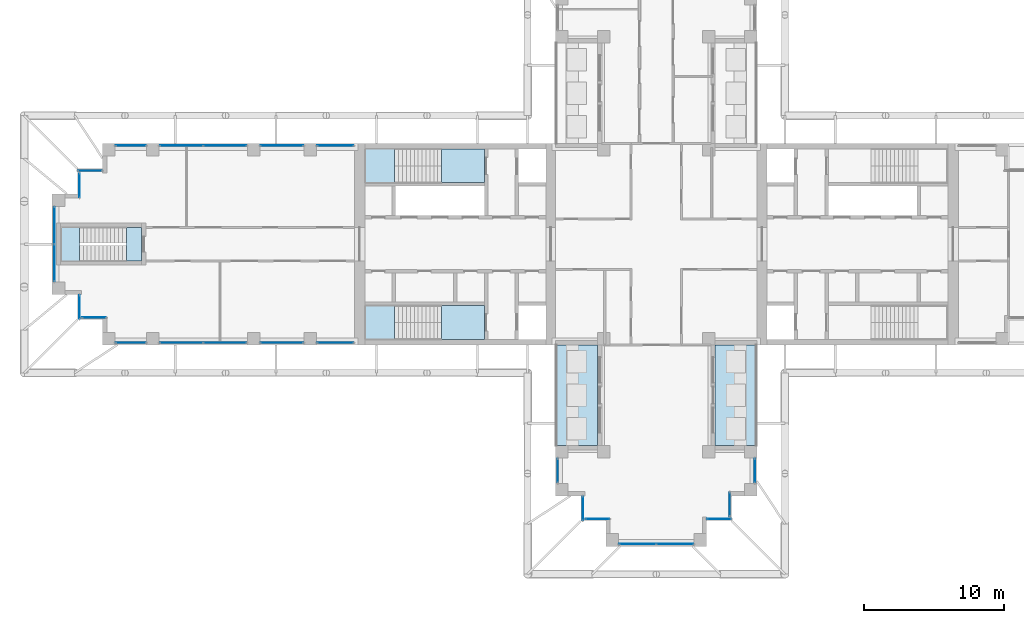
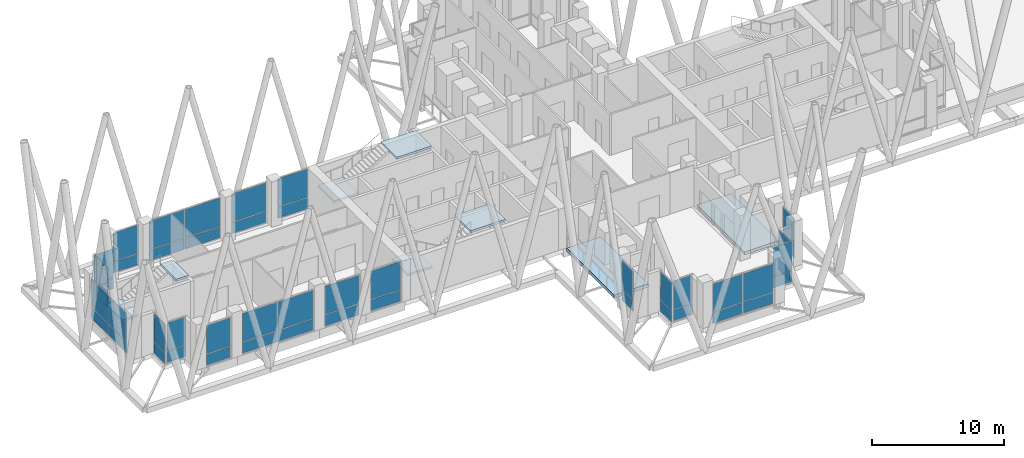
# One storey, part 9 of 19: 48 plates, 8 slabs, 23 elements without a shape of their own.
"""IFC4 building model written with IfcOpenShell, lengths in metres."""

from ifc_helpers import new_model, si_unit, direction, frame, origin, origin_2d, place, context, subcontext, project, spatial, polyline, rectangle, outline, extrude, material, layer, layer_set, type_object, element, aggregate, save


model = new_model("IFC4")

# Units and contexts
model_context = context("Model", 3, precision=1e-05, world=origin(), true_north=direction((0.0, 1.0)))
body_context = subcontext(model_context, "Body", "Model", "MODEL_VIEW")
ifc_project = project(units=[si_unit("LENGTHUNIT", "METRE"), si_unit("AREAUNIT", "SQUARE_METRE"), si_unit("VOLUMEUNIT", "CUBIC_METRE"), si_unit("PLANEANGLEUNIT", "RADIAN"), si_unit("MASSUNIT", "GRAM", prefix="KILO")], contexts=[model_context])

# Site, building, storey
site_placement = place(None, origin())
site = spatial("IfcSite", under=ifc_project, at=site_placement, CompositionType="ELEMENT")
building_placement = place(site_placement, origin())
building = spatial("IfcBuilding", under=site, at=building_placement, Name="Fustian Cross Tower", CompositionType="ELEMENT")
storey_placement = place(building_placement, frame((0.0, 0.0, 166.5)))
storey = spatial("IfcBuildingStorey", under=building, at=storey_placement, Name="L52", CompositionType="ELEMENT", Elevation=166.5)

# Slabs
ifc_material_1 = material(Name="Concrete C40/50", Category="concrete")
ifc_layer_1 = layer(ifc_material_1, 0.300048828125)
ifc_layer_set_1 = layer_set([ifc_layer_1], Name="Concrete C40/50")
slab_type_1 = type_object("IfcSlabType", Name="BS1 BALCONY SLAB 300", PredefinedType="FLOOR", material=ifc_layer_set_1)
slab_1_placement = place(storey_placement, frame((0.0, 0.0, -0.300048828125)))
element("IfcSlab", 1, at=slab_1_placement, inside=storey, type_object=slab_type_1, Name="Balcony slab", PredefinedType="FLOOR", context=body_context, shape_type="SweptSolid", body=[
    extrude(outline(polyline([(4.199951171875, -14.39990234375), (7.199951171875, -14.39990234375), (7.199951171875, -7.199951171875), (4.199951171875, -7.199951171875), (4.199951171875, -14.39990234375)])), origin(), (0.0, 0.0, 1.0), 0.300048828125),
])
slab_2_placement = place(storey_placement, frame((0.0, 0.0, -0.300048828125)))
element("IfcSlab", 2, at=slab_2_placement, inside=storey, type_object=slab_type_1, Name="Balcony slab", PredefinedType="FLOOR", context=body_context, shape_type="SweptSolid", body=[
    extrude(outline(polyline([(-7.199951171875, -14.39990234375), (-4.199951171875, -14.39990234375), (-4.199951171875, -7.199951171875), (-7.199951171875, -7.199951171875), (-7.199951171875, -14.39990234375)])), origin(), (0.0, 0.0, 1.0), 0.300048828125),
])

# Curtain wall, plates
ifc_material_2 = material(Name="Dark anodised aluminium and double glazing", Category="aluminium")
curtain_wall_type = type_object("IfcCurtainWallType", Name="CW1 LOUNGE CURTAIN WALL", PredefinedType="NOTDEFINED", material=ifc_material_2)
curtain_wall_1_placement = place(storey_placement, origin())
curtain_wall_1 = element("IfcCurtainWall", 3, at=curtain_wall_1_placement, inside=storey, type_object=curtain_wall_type, Name="Curtain wall", PredefinedType="NOTDEFINED")
ifc_material_3 = material(Name="Double glazed unit")
ifc_layer_2 = layer(ifc_material_3, 0.028076171875)
ifc_layer_set_2 = layer_set([ifc_layer_2], Name="Double glazed unit")
plate_type = type_object("IfcPlateType", Name="CW1 PANEL IGU 28", PredefinedType="CURTAIN_PANEL", material=ifc_layer_set_2)
plate_1_placement = place(storey_placement, frame((-22.949951171875, 7.050048828125, 0.06005859375), z_axis=(0.0, 0.0, 1.0), x_axis=(-1.0, 0.0, 0.0)))
plate_1 = element("IfcPlate", 4, at=plate_1_placement, type_object=plate_type, Name="CW1 panel 1.1", PredefinedType="CURTAIN_PANEL", context=body_context, shape_type="SweptSolid", body=[
    extrude(rectangle(XDim=2.580078125, YDim=0.028076171875, at=origin_2d()), origin(), (0.0, 0.0, 1.0), 1.010009765625),
])
plate_2_placement = place(storey_placement, frame((-22.949951171875, 7.050048828125, 1.1298828125), z_axis=(0.0, 0.0, 1.0), x_axis=(-1.0, 0.0, 0.0)))
plate_2 = element("IfcPlate", 5, at=plate_2_placement, type_object=plate_type, Name="CW1 panel 1.2", PredefinedType="CURTAIN_PANEL", context=body_context, shape_type="SweptSolid", body=[
    extrude(rectangle(XDim=2.580078125, YDim=0.028076171875, at=origin_2d()), origin(), (0.0, 0.0, 1.0), 2.610107421875),
])
aggregate(curtain_wall_1, [plate_1, plate_2])

curtain_wall_2_placement = place(storey_placement, origin())
curtain_wall_2 = element("IfcCurtainWall", 6, at=curtain_wall_2_placement, inside=storey, type_object=curtain_wall_type, Name="Curtain wall", PredefinedType="NOTDEFINED")
plate_3_placement = place(storey_placement, frame((-26.77490234375, 7.050048828125, 0.06005859375), z_axis=(0.0, 0.0, 1.0), x_axis=(-1.0, 0.0, 0.0)))
plate_3 = element("IfcPlate", 7, at=plate_3_placement, type_object=plate_type, Name="CW1 panel 1.1", PredefinedType="CURTAIN_PANEL", context=body_context, shape_type="SweptSolid", body=[
    extrude(rectangle(XDim=3.030029296875, YDim=0.028076171875, at=origin_2d()), origin(), (0.0, 0.0, 1.0), 1.010009765625),
])
plate_4_placement = place(storey_placement, frame((-26.77490234375, 7.050048828125, 1.1298828125), z_axis=(0.0, 0.0, 1.0), x_axis=(-1.0, 0.0, 0.0)))
plate_4 = element("IfcPlate", 8, at=plate_4_placement, type_object=plate_type, Name="CW1 panel 1.2", PredefinedType="CURTAIN_PANEL", context=body_context, shape_type="SweptSolid", body=[
    extrude(rectangle(XDim=3.030029296875, YDim=0.028076171875, at=origin_2d()), origin(), (0.0, 0.0, 1.0), 2.610107421875),
])
aggregate(curtain_wall_2, [plate_3, plate_4])

curtain_wall_3_placement = place(storey_placement, origin())
curtain_wall_3 = element("IfcCurtainWall", 9, at=curtain_wall_3_placement, inside=storey, type_object=curtain_wall_type, Name="Curtain wall", PredefinedType="NOTDEFINED")
plate_5_placement = place(storey_placement, frame((-30.840087890625, 7.050048828125, 0.06005859375), z_axis=(0.0, 0.0, 1.0), x_axis=(-1.0, 0.0, 0.0)))
plate_5 = element("IfcPlate", 10, at=plate_5_placement, type_object=plate_type, Name="CW1 panel 1.1", PredefinedType="CURTAIN_PANEL", context=body_context, shape_type="SweptSolid", body=[
    extrude(rectangle(XDim=3.06005859375, YDim=0.028076171875, at=origin_2d()), origin(), (0.0, 0.0, 1.0), 1.010009765625),
])
plate_6_placement = place(storey_placement, frame((-30.840087890625, 7.050048828125, 1.1298828125), z_axis=(0.0, 0.0, 1.0), x_axis=(-1.0, 0.0, 0.0)))
plate_6 = element("IfcPlate", 11, at=plate_6_placement, type_object=plate_type, Name="CW1 panel 1.2", PredefinedType="CURTAIN_PANEL", context=body_context, shape_type="SweptSolid", body=[
    extrude(rectangle(XDim=3.06005859375, YDim=0.028076171875, at=origin_2d()), origin(), (0.0, 0.0, 1.0), 2.610107421875),
])
plate_7_placement = place(storey_placement, frame((-33.9599609375, 7.050048828125, 0.06005859375), z_axis=(0.0, 0.0, 1.0), x_axis=(-1.0, 0.0, 0.0)))
plate_7 = element("IfcPlate", 12, at=plate_7_placement, type_object=plate_type, Name="CW1 panel 2.1", PredefinedType="CURTAIN_PANEL", context=body_context, shape_type="SweptSolid", body=[
    extrude(rectangle(XDim=3.06005859375, YDim=0.028076171875, at=origin_2d()), origin(), (0.0, 0.0, 1.0), 1.010009765625),
])
plate_8_placement = place(storey_placement, frame((-33.9599609375, 7.050048828125, 1.1298828125), z_axis=(0.0, 0.0, 1.0), x_axis=(-1.0, 0.0, 0.0)))
plate_8 = element("IfcPlate", 13, at=plate_8_placement, type_object=plate_type, Name="CW1 panel 2.2", PredefinedType="CURTAIN_PANEL", context=body_context, shape_type="SweptSolid", body=[
    extrude(rectangle(XDim=3.06005859375, YDim=0.028076171875, at=origin_2d()), origin(), (0.0, 0.0, 1.0), 2.610107421875),
])
aggregate(curtain_wall_3, [plate_5, plate_6, plate_7, plate_8])

curtain_wall_4_placement = place(storey_placement, origin())
curtain_wall_4 = element("IfcCurtainWall", 14, at=curtain_wall_4_placement, inside=storey, type_object=curtain_wall_type, Name="Curtain wall", PredefinedType="NOTDEFINED")
plate_9_placement = place(storey_placement, frame((-37.574951171875, 7.050048828125, 0.06005859375), z_axis=(0.0, 0.0, 1.0), x_axis=(-1.0, 0.0, 0.0)))
plate_9 = element("IfcPlate", 15, at=plate_9_placement, type_object=plate_type, Name="CW1 panel 1.1", PredefinedType="CURTAIN_PANEL", context=body_context, shape_type="SweptSolid", body=[
    extrude(rectangle(XDim=2.1298828125, YDim=0.028076171875, at=origin_2d()), origin(), (0.0, 0.0, 1.0), 1.010009765625),
])
plate_10_placement = place(storey_placement, frame((-37.574951171875, 7.050048828125, 1.1298828125), z_axis=(0.0, 0.0, 1.0), x_axis=(-1.0, 0.0, 0.0)))
plate_10 = element("IfcPlate", 16, at=plate_10_placement, type_object=plate_type, Name="CW1 panel 1.2", PredefinedType="CURTAIN_PANEL", context=body_context, shape_type="SweptSolid", body=[
    extrude(rectangle(XDim=2.1298828125, YDim=0.028076171875, at=origin_2d()), origin(), (0.0, 0.0, 1.0), 2.610107421875),
])
aggregate(curtain_wall_4, [plate_9, plate_10])

curtain_wall_5_placement = place(storey_placement, origin())
curtain_wall_5 = element("IfcCurtainWall", 17, at=curtain_wall_5_placement, inside=storey, type_object=curtain_wall_type, Name="Curtain wall", PredefinedType="NOTDEFINED")
plate_11_placement = place(storey_placement, frame((-40.5, 5.25, 0.06005859375), z_axis=(0.0, 0.0, 1.0), x_axis=(-1.0, 0.0, 0.0)))
plate_11 = element("IfcPlate", 18, at=plate_11_placement, type_object=plate_type, Name="CW1 panel 1.1", PredefinedType="CURTAIN_PANEL", context=body_context, shape_type="SweptSolid", body=[
    extrude(rectangle(XDim=1.679931640625, YDim=0.028076171875, at=origin_2d()), origin(), (0.0, 0.0, 1.0), 1.010009765625),
])
plate_12_placement = place(storey_placement, frame((-40.5, 5.25, 1.1298828125), z_axis=(0.0, 0.0, 1.0), x_axis=(-1.0, 0.0, 0.0)))
plate_12 = element("IfcPlate", 19, at=plate_12_placement, type_object=plate_type, Name="CW1 panel 1.2", PredefinedType="CURTAIN_PANEL", context=body_context, shape_type="SweptSolid", body=[
    extrude(rectangle(XDim=1.679931640625, YDim=0.028076171875, at=origin_2d()), origin(), (0.0, 0.0, 1.0), 2.610107421875),
])
aggregate(curtain_wall_5, [plate_11, plate_12])

curtain_wall_6_placement = place(storey_placement, origin())
curtain_wall_6 = element("IfcCurtainWall", 20, at=curtain_wall_6_placement, inside=storey, type_object=curtain_wall_type, Name="Curtain wall", PredefinedType="NOTDEFINED")
plate_13_placement = place(storey_placement, frame((-41.25, 4.199951171875, 0.06005859375), z_axis=(0.0, 0.0, 1.0), x_axis=(0.0, -1.0, 0.0)))
plate_13 = element("IfcPlate", 21, at=plate_13_placement, type_object=plate_type, Name="CW1 panel 1.1", PredefinedType="CURTAIN_PANEL", context=body_context, shape_type="SweptSolid", body=[
    extrude(rectangle(XDim=1.679931640625, YDim=0.028076171875, at=origin_2d()), origin(), (0.0, 0.0, 1.0), 1.010009765625),
])
plate_14_placement = place(storey_placement, frame((-41.25, 4.199951171875, 1.1298828125), z_axis=(0.0, 0.0, 1.0), x_axis=(0.0, -1.0, 0.0)))
plate_14 = element("IfcPlate", 22, at=plate_14_placement, type_object=plate_type, Name="CW1 panel 1.2", PredefinedType="CURTAIN_PANEL", context=body_context, shape_type="SweptSolid", body=[
    extrude(rectangle(XDim=1.679931640625, YDim=0.028076171875, at=origin_2d()), origin(), (0.0, 0.0, 1.0), 2.610107421875),
])
aggregate(curtain_wall_6, [plate_13, plate_14])

curtain_wall_7_placement = place(storey_placement, origin())
curtain_wall_7 = element("IfcCurtainWall", 23, at=curtain_wall_7_placement, inside=storey, type_object=curtain_wall_type, Name="Curtain wall", PredefinedType="NOTDEFINED")
plate_15_placement = place(storey_placement, frame((-43.050048828125, 1.3349609375, 0.06005859375), z_axis=(0.0, 0.0, 1.0), x_axis=(0.0, -1.0, 0.0)))
plate_15 = element("IfcPlate", 24, at=plate_15_placement, type_object=plate_type, Name="CW1 panel 1.1", PredefinedType="CURTAIN_PANEL", context=body_context, shape_type="SweptSolid", body=[
    extrude(rectangle(XDim=2.610107421875, YDim=0.028076171875, at=origin_2d()), origin(), (0.0, 0.0, 1.0), 1.010009765625),
])
plate_16_placement = place(storey_placement, frame((-43.050048828125, 1.3349609375, 1.1298828125), z_axis=(0.0, 0.0, 1.0), x_axis=(0.0, -1.0, 0.0)))
plate_16 = element("IfcPlate", 25, at=plate_16_placement, type_object=plate_type, Name="CW1 panel 1.2", PredefinedType="CURTAIN_PANEL", context=body_context, shape_type="SweptSolid", body=[
    extrude(rectangle(XDim=2.610107421875, YDim=0.028076171875, at=origin_2d()), origin(), (0.0, 0.0, 1.0), 2.610107421875),
])
plate_17_placement = place(storey_placement, frame((-43.050048828125, -1.3349609375, 0.06005859375), z_axis=(0.0, 0.0, 1.0), x_axis=(0.0, -1.0, 0.0)))
plate_17 = element("IfcPlate", 26, at=plate_17_placement, type_object=plate_type, Name="CW1 panel 2.1", PredefinedType="CURTAIN_PANEL", context=body_context, shape_type="SweptSolid", body=[
    extrude(rectangle(XDim=2.610107421875, YDim=0.028076171875, at=origin_2d()), origin(), (0.0, 0.0, 1.0), 1.010009765625),
])
plate_18_placement = place(storey_placement, frame((-43.050048828125, -1.3349609375, 1.1298828125), z_axis=(0.0, 0.0, 1.0), x_axis=(0.0, -1.0, 0.0)))
plate_18 = element("IfcPlate", 27, at=plate_18_placement, type_object=plate_type, Name="CW1 panel 2.2", PredefinedType="CURTAIN_PANEL", context=body_context, shape_type="SweptSolid", body=[
    extrude(rectangle(XDim=2.610107421875, YDim=0.028076171875, at=origin_2d()), origin(), (0.0, 0.0, 1.0), 2.610107421875),
])
aggregate(curtain_wall_7, [plate_15, plate_16, plate_17, plate_18])

curtain_wall_8_placement = place(storey_placement, origin())
curtain_wall_8 = element("IfcCurtainWall", 28, at=curtain_wall_8_placement, inside=storey, type_object=curtain_wall_type, Name="Curtain wall", PredefinedType="NOTDEFINED")
plate_19_placement = place(storey_placement, frame((-41.25, -4.5, 0.06005859375), z_axis=(0.0, 0.0, 1.0), x_axis=(0.0, -1.0, 0.0)))
plate_19 = element("IfcPlate", 29, at=plate_19_placement, type_object=plate_type, Name="CW1 panel 1.1", PredefinedType="CURTAIN_PANEL", context=body_context, shape_type="SweptSolid", body=[
    extrude(rectangle(XDim=1.679931640625, YDim=0.028076171875, at=origin_2d()), origin(), (0.0, 0.0, 1.0), 1.010009765625),
])
plate_20_placement = place(storey_placement, frame((-41.25, -4.5, 1.1298828125), z_axis=(0.0, 0.0, 1.0), x_axis=(0.0, -1.0, 0.0)))
plate_20 = element("IfcPlate", 30, at=plate_20_placement, type_object=plate_type, Name="CW1 panel 1.2", PredefinedType="CURTAIN_PANEL", context=body_context, shape_type="SweptSolid", body=[
    extrude(rectangle(XDim=1.679931640625, YDim=0.028076171875, at=origin_2d()), origin(), (0.0, 0.0, 1.0), 2.610107421875),
])
aggregate(curtain_wall_8, [plate_19, plate_20])

curtain_wall_9_placement = place(storey_placement, origin())
curtain_wall_9 = element("IfcCurtainWall", 31, at=curtain_wall_9_placement, inside=storey, type_object=curtain_wall_type, Name="Curtain wall", PredefinedType="NOTDEFINED")
plate_21_placement = place(storey_placement, frame((-40.199951171875, -5.25, 0.06005859375), z_axis=(0.0, 0.0, 1.0), x_axis=(1.0, 0.0, 0.0)))
plate_21 = element("IfcPlate", 32, at=plate_21_placement, type_object=plate_type, Name="CW1 panel 1.1", PredefinedType="CURTAIN_PANEL", context=body_context, shape_type="SweptSolid", body=[
    extrude(rectangle(XDim=1.679931640625, YDim=0.028076171875, at=origin_2d()), origin(), (0.0, 0.0, 1.0), 1.010009765625),
])
plate_22_placement = place(storey_placement, frame((-40.199951171875, -5.25, 1.1298828125), z_axis=(0.0, 0.0, 1.0), x_axis=(1.0, 0.0, 0.0)))
plate_22 = element("IfcPlate", 33, at=plate_22_placement, type_object=plate_type, Name="CW1 panel 1.2", PredefinedType="CURTAIN_PANEL", context=body_context, shape_type="SweptSolid", body=[
    extrude(rectangle(XDim=1.679931640625, YDim=0.028076171875, at=origin_2d()), origin(), (0.0, 0.0, 1.0), 2.610107421875),
])
aggregate(curtain_wall_9, [plate_21, plate_22])

curtain_wall_10_placement = place(storey_placement, origin())
curtain_wall_10 = element("IfcCurtainWall", 34, at=curtain_wall_10_placement, inside=storey, type_object=curtain_wall_type, Name="Curtain wall", PredefinedType="NOTDEFINED")
plate_23_placement = place(storey_placement, frame((-37.574951171875, -7.050048828125, 0.06005859375), z_axis=(0.0, 0.0, 1.0), x_axis=(1.0, 0.0, 0.0)))
plate_23 = element("IfcPlate", 35, at=plate_23_placement, type_object=plate_type, Name="CW1 panel 1.1", PredefinedType="CURTAIN_PANEL", context=body_context, shape_type="SweptSolid", body=[
    extrude(rectangle(XDim=2.1298828125, YDim=0.028076171875, at=origin_2d()), origin(), (0.0, 0.0, 1.0), 1.010009765625),
])
plate_24_placement = place(storey_placement, frame((-37.574951171875, -7.050048828125, 1.1298828125), z_axis=(0.0, 0.0, 1.0), x_axis=(1.0, 0.0, 0.0)))
plate_24 = element("IfcPlate", 36, at=plate_24_placement, type_object=plate_type, Name="CW1 panel 1.2", PredefinedType="CURTAIN_PANEL", context=body_context, shape_type="SweptSolid", body=[
    extrude(rectangle(XDim=2.1298828125, YDim=0.028076171875, at=origin_2d()), origin(), (0.0, 0.0, 1.0), 2.610107421875),
])
aggregate(curtain_wall_10, [plate_23, plate_24])

curtain_wall_11_placement = place(storey_placement, origin())
curtain_wall_11 = element("IfcCurtainWall", 37, at=curtain_wall_11_placement, inside=storey, type_object=curtain_wall_type, Name="Curtain wall", PredefinedType="NOTDEFINED")
plate_25_placement = place(storey_placement, frame((-33.9599609375, -7.050048828125, 0.06005859375), z_axis=(0.0, 0.0, 1.0), x_axis=(1.0, 0.0, 0.0)))
plate_25 = element("IfcPlate", 38, at=plate_25_placement, type_object=plate_type, Name="CW1 panel 1.1", PredefinedType="CURTAIN_PANEL", context=body_context, shape_type="SweptSolid", body=[
    extrude(rectangle(XDim=3.06005859375, YDim=0.028076171875, at=origin_2d()), origin(), (0.0, 0.0, 1.0), 1.010009765625),
])
plate_26_placement = place(storey_placement, frame((-33.9599609375, -7.050048828125, 1.1298828125), z_axis=(0.0, 0.0, 1.0), x_axis=(1.0, 0.0, 0.0)))
plate_26 = element("IfcPlate", 39, at=plate_26_placement, type_object=plate_type, Name="CW1 panel 1.2", PredefinedType="CURTAIN_PANEL", context=body_context, shape_type="SweptSolid", body=[
    extrude(rectangle(XDim=3.06005859375, YDim=0.028076171875, at=origin_2d()), origin(), (0.0, 0.0, 1.0), 2.610107421875),
])
plate_27_placement = place(storey_placement, frame((-30.840087890625, -7.050048828125, 0.06005859375), z_axis=(0.0, 0.0, 1.0), x_axis=(1.0, 0.0, 0.0)))
plate_27 = element("IfcPlate", 40, at=plate_27_placement, type_object=plate_type, Name="CW1 panel 2.1", PredefinedType="CURTAIN_PANEL", context=body_context, shape_type="SweptSolid", body=[
    extrude(rectangle(XDim=3.06005859375, YDim=0.028076171875, at=origin_2d()), origin(), (0.0, 0.0, 1.0), 1.010009765625),
])
plate_28_placement = place(storey_placement, frame((-30.840087890625, -7.050048828125, 1.1298828125), z_axis=(0.0, 0.0, 1.0), x_axis=(1.0, 0.0, 0.0)))
plate_28 = element("IfcPlate", 41, at=plate_28_placement, type_object=plate_type, Name="CW1 panel 2.2", PredefinedType="CURTAIN_PANEL", context=body_context, shape_type="SweptSolid", body=[
    extrude(rectangle(XDim=3.06005859375, YDim=0.028076171875, at=origin_2d()), origin(), (0.0, 0.0, 1.0), 2.610107421875),
])
aggregate(curtain_wall_11, [plate_25, plate_26, plate_27, plate_28])

curtain_wall_12_placement = place(storey_placement, origin())
curtain_wall_12 = element("IfcCurtainWall", 42, at=curtain_wall_12_placement, inside=storey, type_object=curtain_wall_type, Name="Curtain wall", PredefinedType="NOTDEFINED")
plate_29_placement = place(storey_placement, frame((-26.77490234375, -7.050048828125, 0.06005859375), z_axis=(0.0, 0.0, 1.0), x_axis=(1.0, 0.0, 0.0)))
plate_29 = element("IfcPlate", 43, at=plate_29_placement, type_object=plate_type, Name="CW1 panel 1.1", PredefinedType="CURTAIN_PANEL", context=body_context, shape_type="SweptSolid", body=[
    extrude(rectangle(XDim=3.030029296875, YDim=0.028076171875, at=origin_2d()), origin(), (0.0, 0.0, 1.0), 1.010009765625),
])
plate_30_placement = place(storey_placement, frame((-26.77490234375, -7.050048828125, 1.1298828125), z_axis=(0.0, 0.0, 1.0), x_axis=(1.0, 0.0, 0.0)))
plate_30 = element("IfcPlate", 44, at=plate_30_placement, type_object=plate_type, Name="CW1 panel 1.2", PredefinedType="CURTAIN_PANEL", context=body_context, shape_type="SweptSolid", body=[
    extrude(rectangle(XDim=3.030029296875, YDim=0.028076171875, at=origin_2d()), origin(), (0.0, 0.0, 1.0), 2.610107421875),
])
aggregate(curtain_wall_12, [plate_29, plate_30])

curtain_wall_13_placement = place(storey_placement, origin())
curtain_wall_13 = element("IfcCurtainWall", 45, at=curtain_wall_13_placement, inside=storey, type_object=curtain_wall_type, Name="Curtain wall", PredefinedType="NOTDEFINED")
plate_31_placement = place(storey_placement, frame((-22.949951171875, -7.050048828125, 0.06005859375), z_axis=(0.0, 0.0, 1.0), x_axis=(1.0, 0.0, 0.0)))
plate_31 = element("IfcPlate", 46, at=plate_31_placement, type_object=plate_type, Name="CW1 panel 1.1", PredefinedType="CURTAIN_PANEL", context=body_context, shape_type="SweptSolid", body=[
    extrude(rectangle(XDim=2.580078125, YDim=0.028076171875, at=origin_2d()), origin(), (0.0, 0.0, 1.0), 1.010009765625),
])
plate_32_placement = place(storey_placement, frame((-22.949951171875, -7.050048828125, 1.1298828125), z_axis=(0.0, 0.0, 1.0), x_axis=(1.0, 0.0, 0.0)))
plate_32 = element("IfcPlate", 47, at=plate_32_placement, type_object=plate_type, Name="CW1 panel 1.2", PredefinedType="CURTAIN_PANEL", context=body_context, shape_type="SweptSolid", body=[
    extrude(rectangle(XDim=2.580078125, YDim=0.028076171875, at=origin_2d()), origin(), (0.0, 0.0, 1.0), 2.610107421875),
])
aggregate(curtain_wall_13, [plate_31, plate_32])

curtain_wall_14_placement = place(storey_placement, origin())
curtain_wall_14 = element("IfcCurtainWall", 48, at=curtain_wall_14_placement, inside=storey, type_object=curtain_wall_type, Name="Curtain wall", PredefinedType="NOTDEFINED")
plate_33_placement = place(storey_placement, frame((-7.050048828125, -16.199951171875, 0.06005859375), z_axis=(0.0, 0.0, 1.0), x_axis=(0.0, -1.0, 0.0)))
plate_33 = element("IfcPlate", 49, at=plate_33_placement, type_object=plate_type, Name="CW1 panel 1.1", PredefinedType="CURTAIN_PANEL", context=body_context, shape_type="SweptSolid", body=[
    extrude(rectangle(XDim=1.679931640625, YDim=0.028076171875, at=origin_2d()), origin(), (0.0, 0.0, 1.0), 1.010009765625),
])
plate_34_placement = place(storey_placement, frame((-7.050048828125, -16.199951171875, 1.1298828125), z_axis=(0.0, 0.0, 1.0), x_axis=(0.0, -1.0, 0.0)))
plate_34 = element("IfcPlate", 50, at=plate_34_placement, type_object=plate_type, Name="CW1 panel 1.2", PredefinedType="CURTAIN_PANEL", context=body_context, shape_type="SweptSolid", body=[
    extrude(rectangle(XDim=1.679931640625, YDim=0.028076171875, at=origin_2d()), origin(), (0.0, 0.0, 1.0), 2.610107421875),
])
aggregate(curtain_wall_14, [plate_33, plate_34])

curtain_wall_15_placement = place(storey_placement, origin())
curtain_wall_15 = element("IfcCurtainWall", 51, at=curtain_wall_15_placement, inside=storey, type_object=curtain_wall_type, Name="Curtain wall", PredefinedType="NOTDEFINED")
plate_35_placement = place(storey_placement, frame((-5.25, -18.89990234375, 0.06005859375), z_axis=(0.0, 0.0, 1.0), x_axis=(0.0, -1.0, 0.0)))
plate_35 = element("IfcPlate", 52, at=plate_35_placement, type_object=plate_type, Name="CW1 panel 1.1", PredefinedType="CURTAIN_PANEL", context=body_context, shape_type="SweptSolid", body=[
    extrude(rectangle(XDim=1.679931640625, YDim=0.028076171875, at=origin_2d()), origin(), (0.0, 0.0, 1.0), 1.010009765625),
])
plate_36_placement = place(storey_placement, frame((-5.25, -18.89990234375, 1.1298828125), z_axis=(0.0, 0.0, 1.0), x_axis=(0.0, -1.0, 0.0)))
plate_36 = element("IfcPlate", 53, at=plate_36_placement, type_object=plate_type, Name="CW1 panel 1.2", PredefinedType="CURTAIN_PANEL", context=body_context, shape_type="SweptSolid", body=[
    extrude(rectangle(XDim=1.679931640625, YDim=0.028076171875, at=origin_2d()), origin(), (0.0, 0.0, 1.0), 2.610107421875),
])
aggregate(curtain_wall_15, [plate_35, plate_36])

curtain_wall_16_placement = place(storey_placement, origin())
curtain_wall_16 = element("IfcCurtainWall", 54, at=curtain_wall_16_placement, inside=storey, type_object=curtain_wall_type, Name="Curtain wall", PredefinedType="NOTDEFINED")
plate_37_placement = place(storey_placement, frame((-4.199951171875, -19.64990234375, 0.06005859375), z_axis=(0.0, 0.0, 1.0), x_axis=(1.0, 0.0, 0.0)))
plate_37 = element("IfcPlate", 55, at=plate_37_placement, type_object=plate_type, Name="CW1 panel 1.1", PredefinedType="CURTAIN_PANEL", context=body_context, shape_type="SweptSolid", body=[
    extrude(rectangle(XDim=1.679931640625, YDim=0.028076171875, at=origin_2d()), origin(), (0.0, 0.0, 1.0), 1.010009765625),
])
plate_38_placement = place(storey_placement, frame((-4.199951171875, -19.64990234375, 1.1298828125), z_axis=(0.0, 0.0, 1.0), x_axis=(1.0, 0.0, 0.0)))
plate_38 = element("IfcPlate", 56, at=plate_38_placement, type_object=plate_type, Name="CW1 panel 1.2", PredefinedType="CURTAIN_PANEL", context=body_context, shape_type="SweptSolid", body=[
    extrude(rectangle(XDim=1.679931640625, YDim=0.028076171875, at=origin_2d()), origin(), (0.0, 0.0, 1.0), 2.610107421875),
])
aggregate(curtain_wall_16, [plate_37, plate_38])

curtain_wall_17_placement = place(storey_placement, origin())
curtain_wall_17 = element("IfcCurtainWall", 57, at=curtain_wall_17_placement, inside=storey, type_object=curtain_wall_type, Name="Curtain wall", PredefinedType="NOTDEFINED")
plate_39_placement = place(storey_placement, frame((-1.3349609375, -21.449951171875, 0.06005859375), z_axis=(0.0, 0.0, 1.0), x_axis=(1.0, 0.0, 0.0)))
plate_39 = element("IfcPlate", 58, at=plate_39_placement, type_object=plate_type, Name="CW1 panel 1.1", PredefinedType="CURTAIN_PANEL", context=body_context, shape_type="SweptSolid", body=[
    extrude(rectangle(XDim=2.610107421875, YDim=0.028076171875, at=origin_2d()), origin(), (0.0, 0.0, 1.0), 1.010009765625),
])
plate_40_placement = place(storey_placement, frame((-1.3349609375, -21.449951171875, 1.1298828125), z_axis=(0.0, 0.0, 1.0), x_axis=(1.0, 0.0, 0.0)))
plate_40 = element("IfcPlate", 59, at=plate_40_placement, type_object=plate_type, Name="CW1 panel 1.2", PredefinedType="CURTAIN_PANEL", context=body_context, shape_type="SweptSolid", body=[
    extrude(rectangle(XDim=2.610107421875, YDim=0.028076171875, at=origin_2d()), origin(), (0.0, 0.0, 1.0), 2.610107421875),
])
plate_41_placement = place(storey_placement, frame((1.3349609375, -21.449951171875, 0.06005859375), z_axis=(0.0, 0.0, 1.0), x_axis=(1.0, 0.0, 0.0)))
plate_41 = element("IfcPlate", 60, at=plate_41_placement, type_object=plate_type, Name="CW1 panel 2.1", PredefinedType="CURTAIN_PANEL", context=body_context, shape_type="SweptSolid", body=[
    extrude(rectangle(XDim=2.610107421875, YDim=0.028076171875, at=origin_2d()), origin(), (0.0, 0.0, 1.0), 1.010009765625),
])
plate_42_placement = place(storey_placement, frame((1.3349609375, -21.449951171875, 1.1298828125), z_axis=(0.0, 0.0, 1.0), x_axis=(1.0, 0.0, 0.0)))
plate_42 = element("IfcPlate", 61, at=plate_42_placement, type_object=plate_type, Name="CW1 panel 2.2", PredefinedType="CURTAIN_PANEL", context=body_context, shape_type="SweptSolid", body=[
    extrude(rectangle(XDim=2.610107421875, YDim=0.028076171875, at=origin_2d()), origin(), (0.0, 0.0, 1.0), 2.610107421875),
])
aggregate(curtain_wall_17, [plate_39, plate_40, plate_41, plate_42])

curtain_wall_18_placement = place(storey_placement, origin())
curtain_wall_18 = element("IfcCurtainWall", 62, at=curtain_wall_18_placement, inside=storey, type_object=curtain_wall_type, Name="Curtain wall", PredefinedType="NOTDEFINED")
plate_43_placement = place(storey_placement, frame((4.5, -19.64990234375, 0.06005859375), z_axis=(0.0, 0.0, 1.0), x_axis=(1.0, 0.0, 0.0)))
plate_43 = element("IfcPlate", 63, at=plate_43_placement, type_object=plate_type, Name="CW1 panel 1.1", PredefinedType="CURTAIN_PANEL", context=body_context, shape_type="SweptSolid", body=[
    extrude(rectangle(XDim=1.679931640625, YDim=0.028076171875, at=origin_2d()), origin(), (0.0, 0.0, 1.0), 1.010009765625),
])
plate_44_placement = place(storey_placement, frame((4.5, -19.64990234375, 1.1298828125), z_axis=(0.0, 0.0, 1.0), x_axis=(1.0, 0.0, 0.0)))
plate_44 = element("IfcPlate", 64, at=plate_44_placement, type_object=plate_type, Name="CW1 panel 1.2", PredefinedType="CURTAIN_PANEL", context=body_context, shape_type="SweptSolid", body=[
    extrude(rectangle(XDim=1.679931640625, YDim=0.028076171875, at=origin_2d()), origin(), (0.0, 0.0, 1.0), 2.610107421875),
])
aggregate(curtain_wall_18, [plate_43, plate_44])

curtain_wall_19_placement = place(storey_placement, origin())
curtain_wall_19 = element("IfcCurtainWall", 65, at=curtain_wall_19_placement, inside=storey, type_object=curtain_wall_type, Name="Curtain wall", PredefinedType="NOTDEFINED")
plate_45_placement = place(storey_placement, frame((5.25, -18.60009765625, 0.06005859375), z_axis=(0.0, 0.0, 1.0), x_axis=(0.0, 1.0, 0.0)))
plate_45 = element("IfcPlate", 66, at=plate_45_placement, type_object=plate_type, Name="CW1 panel 1.1", PredefinedType="CURTAIN_PANEL", context=body_context, shape_type="SweptSolid", body=[
    extrude(rectangle(XDim=1.679931640625, YDim=0.028076171875, at=origin_2d()), origin(), (0.0, 0.0, 1.0), 1.010009765625),
])
plate_46_placement = place(storey_placement, frame((5.25, -18.60009765625, 1.1298828125), z_axis=(0.0, 0.0, 1.0), x_axis=(0.0, 1.0, 0.0)))
plate_46 = element("IfcPlate", 67, at=plate_46_placement, type_object=plate_type, Name="CW1 panel 1.2", PredefinedType="CURTAIN_PANEL", context=body_context, shape_type="SweptSolid", body=[
    extrude(rectangle(XDim=1.679931640625, YDim=0.028076171875, at=origin_2d()), origin(), (0.0, 0.0, 1.0), 2.610107421875),
])
aggregate(curtain_wall_19, [plate_45, plate_46])

curtain_wall_20_placement = place(storey_placement, origin())
curtain_wall_20 = element("IfcCurtainWall", 68, at=curtain_wall_20_placement, inside=storey, type_object=curtain_wall_type, Name="Curtain wall", PredefinedType="NOTDEFINED")
plate_47_placement = place(storey_placement, frame((7.050048828125, -16.199951171875, 0.06005859375), z_axis=(0.0, 0.0, 1.0), x_axis=(0.0, 1.0, 0.0)))
plate_47 = element("IfcPlate", 69, at=plate_47_placement, type_object=plate_type, Name="CW1 panel 1.1", PredefinedType="CURTAIN_PANEL", context=body_context, shape_type="SweptSolid", body=[
    extrude(rectangle(XDim=1.679931640625, YDim=0.028076171875, at=origin_2d()), origin(), (0.0, 0.0, 1.0), 1.010009765625),
])
plate_48_placement = place(storey_placement, frame((7.050048828125, -16.199951171875, 1.1298828125), z_axis=(0.0, 0.0, 1.0), x_axis=(0.0, 1.0, 0.0)))
plate_48 = element("IfcPlate", 70, at=plate_48_placement, type_object=plate_type, Name="CW1 panel 1.2", PredefinedType="CURTAIN_PANEL", context=body_context, shape_type="SweptSolid", body=[
    extrude(rectangle(XDim=1.679931640625, YDim=0.028076171875, at=origin_2d()), origin(), (0.0, 0.0, 1.0), 2.610107421875),
])
aggregate(curtain_wall_20, [plate_47, plate_48])

# Stair, slabs
ifc_material_4 = material(Name="Concrete C50/60", Category="concrete")
stair_type_1 = type_object("IfcStairType", Name="STAIR 1200 HALF TURN", PredefinedType="HALF_TURN_STAIR", material=ifc_material_4)
stair_1_placement = place(storey_placement, origin())
stair_1 = element("IfcStair", 71, at=stair_1_placement, inside=storey, type_object=stair_type_1, Name="Stair ST3", PredefinedType="HALF_TURN_STAIR")
ifc_material_5 = material(Name="Concrete C50/60", Category="concrete")
ifc_layer_3 = layer(ifc_material_5, 0.199951171875)
ifc_layer_set_3 = layer_set([ifc_layer_3], Name="Concrete C50/60")
slab_type_2 = type_object("IfcSlabType", Name="STAIR LANDING", PredefinedType="LANDING", material=ifc_layer_set_3)
slab_3_placement = place(storey_placement, frame((0.0, 0.0, 1.89990234375)))
slab_3 = element("IfcSlab", 72, at=slab_3_placement, type_object=slab_type_2, Name="ST3 landing 1", PredefinedType="LANDING", context=body_context, shape_type="SweptSolid", body=[
    extrude(outline(polyline([(-18.7099609375, 4.39990234375), (-20.85009765625, 4.39990234375), (-20.85009765625, 6.800048828125), (-18.7099609375, 6.800048828125), (-18.7099609375, 4.39990234375)])), origin(), (0.0, 0.0, 1.0), 0.2001953125),
])
slab_4_placement = place(storey_placement, frame((0.0, 0.0, 4.0)))
slab_4 = element("IfcSlab", 73, at=slab_4_placement, type_object=slab_type_2, Name="ST3 landing 2", PredefinedType="LANDING", context=body_context, shape_type="SweptSolid", body=[
    extrude(outline(polyline([(-12.300048828125, 4.39990234375), (-15.35009765625, 4.39990234375), (-15.35009765625, 6.800048828125), (-12.300048828125, 6.800048828125), (-12.300048828125, 4.39990234375)])), origin(), (0.0, 0.0, 1.0), 0.199951171875),
])
aggregate(stair_1, [slab_3, slab_4])

stair_2_placement = place(storey_placement, origin())
stair_2 = element("IfcStair", 74, at=stair_2_placement, inside=storey, type_object=stair_type_1, Name="Stair ST4", PredefinedType="HALF_TURN_STAIR")
slab_5_placement = place(storey_placement, frame((0.0, 0.0, 1.89990234375)))
slab_5 = element("IfcSlab", 75, at=slab_5_placement, type_object=slab_type_2, Name="ST4 landing 1", PredefinedType="LANDING", context=body_context, shape_type="SweptSolid", body=[
    extrude(outline(polyline([(-18.7099609375, -4.39990234375), (-20.85009765625, -4.39990234375), (-20.85009765625, -6.800048828125), (-18.7099609375, -6.800048828125), (-18.7099609375, -4.39990234375)])), origin(), (0.0, 0.0, 1.0), 0.2001953125),
])
slab_6_placement = place(storey_placement, frame((0.0, 0.0, 4.0)))
slab_6 = element("IfcSlab", 76, at=slab_6_placement, type_object=slab_type_2, Name="ST4 landing 2", PredefinedType="LANDING", context=body_context, shape_type="SweptSolid", body=[
    extrude(outline(polyline([(-12.300048828125, -4.39990234375), (-15.35009765625, -4.39990234375), (-15.35009765625, -6.800048828125), (-12.300048828125, -6.800048828125), (-12.300048828125, -4.39990234375)])), origin(), (0.0, 0.0, 1.0), 0.199951171875),
])
aggregate(stair_2, [slab_5, slab_6])

ifc_material_6 = material(Name="Concrete C50/60", Category="concrete")
stair_type_2 = type_object("IfcStairType", Name="STAIR 1100 HALF TURN", PredefinedType="HALF_TURN_STAIR", material=ifc_material_6)
stair_3_placement = place(storey_placement, origin())
stair_3 = element("IfcStair", 77, at=stair_3_placement, inside=storey, type_object=stair_type_2, Name="Stair ST9", PredefinedType="HALF_TURN_STAIR")
slab_7_placement = place(storey_placement, frame((0.0, 0.0, 1.89990234375)))
slab_7 = element("IfcSlab", 78, at=slab_7_placement, type_object=slab_type_2, Name="ST9 landing 1", PredefinedType="LANDING", context=body_context, shape_type="SweptSolid", body=[
    extrude(outline(polyline([(-41.260009765625, -1.199951171875), (-42.60009765625, -1.199951171875), (-42.60009765625, 1.199951171875), (-41.260009765625, 1.199951171875), (-41.260009765625, -1.199951171875)])), origin(), (0.0, 0.0, 1.0), 0.2001953125),
])
slab_8_placement = place(storey_placement, frame((0.0, 0.0, 4.0)))
slab_8 = element("IfcSlab", 79, at=slab_8_placement, type_object=slab_type_2, Name="ST9 landing 2", PredefinedType="LANDING", context=body_context, shape_type="SweptSolid", body=[
    extrude(outline(polyline([(-36.800048828125, -1.199951171875), (-37.89990234375, -1.199951171875), (-37.89990234375, 1.199951171875), (-36.800048828125, 1.199951171875), (-36.800048828125, -1.199951171875)])), origin(), (0.0, 0.0, 1.0), 0.199951171875),
])
aggregate(stair_3, [slab_7, slab_8])

save(model, "model.ifc")
